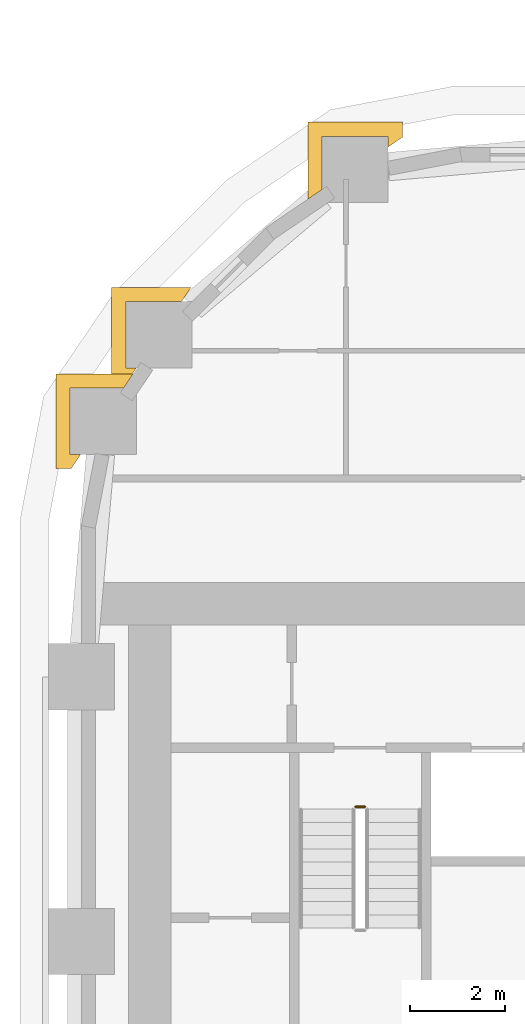
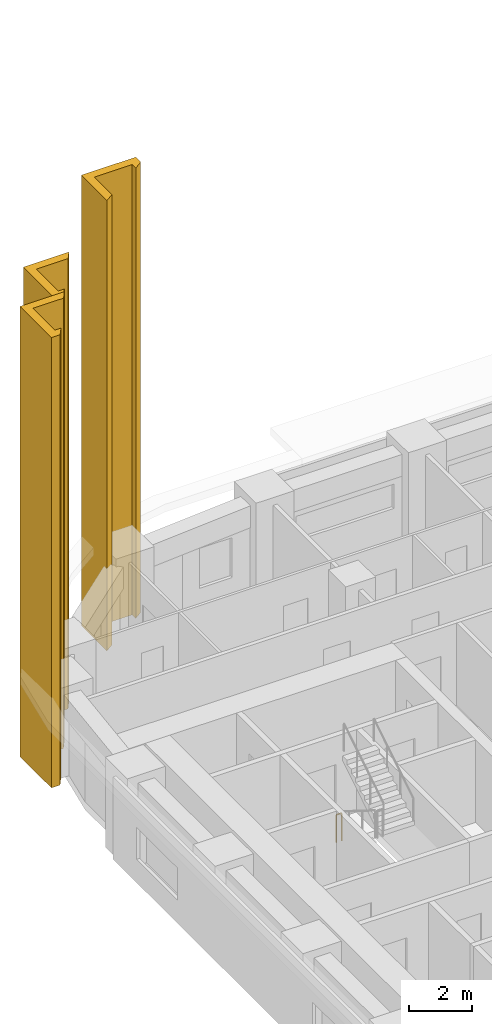
# One storey, part 20 of 22: 3 coverings, 1 railing.
"""IFC4 building model written with IfcOpenShell, lengths in metres."""

from ifc_helpers import new_model, si_unit, direction, frame, origin, origin_2d, place, context, subcontext, project, spatial, polyline, circle, outline, extrude, material, layer, layer_set, type_object, element, save


model = new_model("IFC4")

# Units and contexts
model_context = context("Model", 3, precision=1e-05, world=origin(), true_north=direction((0.0, 1.0)))
body_context = subcontext(model_context, "Body", "Model", "MODEL_VIEW")
ifc_project = project(units=[si_unit("LENGTHUNIT", "METRE"), si_unit("AREAUNIT", "SQUARE_METRE"), si_unit("VOLUMEUNIT", "CUBIC_METRE"), si_unit("PLANEANGLEUNIT", "RADIAN"), si_unit("MASSUNIT", "GRAM", prefix="KILO")], contexts=[model_context])

# Site, building, storey
site_placement = place(None, origin())
site = spatial("IfcSite", under=ifc_project, at=site_placement, CompositionType="ELEMENT")
building_placement = place(site_placement, origin())
building = spatial("IfcBuilding", under=site, at=building_placement, Name="Kiln Ring Residences", CompositionType="ELEMENT")
storey_placement = place(building_placement, frame((0.0, 0.0, 55.0)))
storey = spatial("IfcBuildingStorey", under=building, at=storey_placement, Name="L13", CompositionType="ELEMENT", Elevation=55.0)

# Railing
ifc_material_1 = material(Name="Stainless steel", Category="steel")
railing_type = type_object("IfcRailingType", Name="CORE-STAIR-GUARD", PredefinedType="GUARDRAIL", material=ifc_material_1)
railing_placement = place(storey_placement, frame((-22.199951171875, 8.449951171875, 0.0)))
element("IfcRailing", 1, at=railing_placement, inside=storey, type_object=railing_type, Name="L13 W-STN stair guard 4", PredefinedType="GUARDRAIL", context=body_context, shape_type="SweptSolid", body=[
    extrude(circle(Radius=0.02392578125, at=origin_2d()), frame((0.0, 0.0, 1.076171875), z_axis=(1.0, 0.0, 0.0), x_axis=(0.0, 1.0, 0.0)), (0.0, 0.0, 1.0), 0.199951171875),
    extrude(circle(Radius=0.02099609375, at=origin_2d()), origin(), (0.0, 0.0, 1.0), 1.052001953125),
    extrude(circle(Radius=0.02099609375, at=origin_2d()), frame((0.199951171875, 0.0, 0.0)), (0.0, 0.0, 1.0), 1.052001953125),
])

# Coverings
ifc_material_2 = material(Name="Brick masonry, dark clay brick", Category="masonry")
ifc_layer = layer(ifc_material_2, 0.300048828125)
ifc_layer_set = layer_set([ifc_layer], Name="PIER CLADDING 300")
covering_type = type_object("IfcCoveringType", Name="PIER CLADDING 300", PredefinedType="CLADDING", material=ifc_layer_set)
placement = place(storey_placement, origin())
element("IfcCovering", 2, at=placement, inside=storey, type_object=covering_type, Name="PIER CLADDING L13-L17", PredefinedType="CLADDING", context=body_context, shape_type="SweptSolid", body=[
    extrude(outline(polyline([(-21.208740234375, 22.93798828125), (-23.208740234375, 22.93798828125), (-23.208740234375, 21.306640625), (-22.90869140625, 21.510498046875), (-22.90869140625, 22.63818359375), (-21.5087890625, 22.63818359375), (-21.5087890625, 22.413818359375), (-21.208740234375, 22.61767578125), (-21.208740234375, 22.93798828125)])), origin(), (0.0, 0.0, 1.0), 17.5),
])
element("IfcCovering", 3, at=placement, inside=storey, type_object=covering_type, Name="PIER CLADDING L13-L17", PredefinedType="CLADDING", context=body_context, shape_type="SweptSolid", body=[
    extrude(outline(polyline([(-25.68017578125, 19.440185546875), (-27.35986328125, 19.440185546875), (-27.35986328125, 17.440185546875), (-27.039306640625, 17.440185546875), (-26.83544921875, 17.740234375), (-27.059814453125, 17.740234375), (-27.059814453125, 19.14013671875), (-25.884033203125, 19.14013671875), (-25.68017578125, 19.440185546875)])), origin(), (0.0, 0.0, 1.0), 17.5),
])
element("IfcCovering", 4, at=placement, inside=storey, type_object=covering_type, Name="PIER CLADDING L13-L17", PredefinedType="CLADDING", context=body_context, shape_type="SweptSolid", body=[
    extrude(outline(polyline([(-26.906494140625, 17.608642578125), (-28.5380859375, 17.608642578125), (-28.5380859375, 15.608642578125), (-28.2177734375, 15.608642578125), (-28.013916015625, 15.90869140625), (-28.238037109375, 15.90869140625), (-28.238037109375, 17.30859375), (-27.110595703125, 17.30859375), (-26.906494140625, 17.608642578125)])), origin(), (0.0, 0.0, 1.0), 17.5),
])

save(model, "model.ifc")
